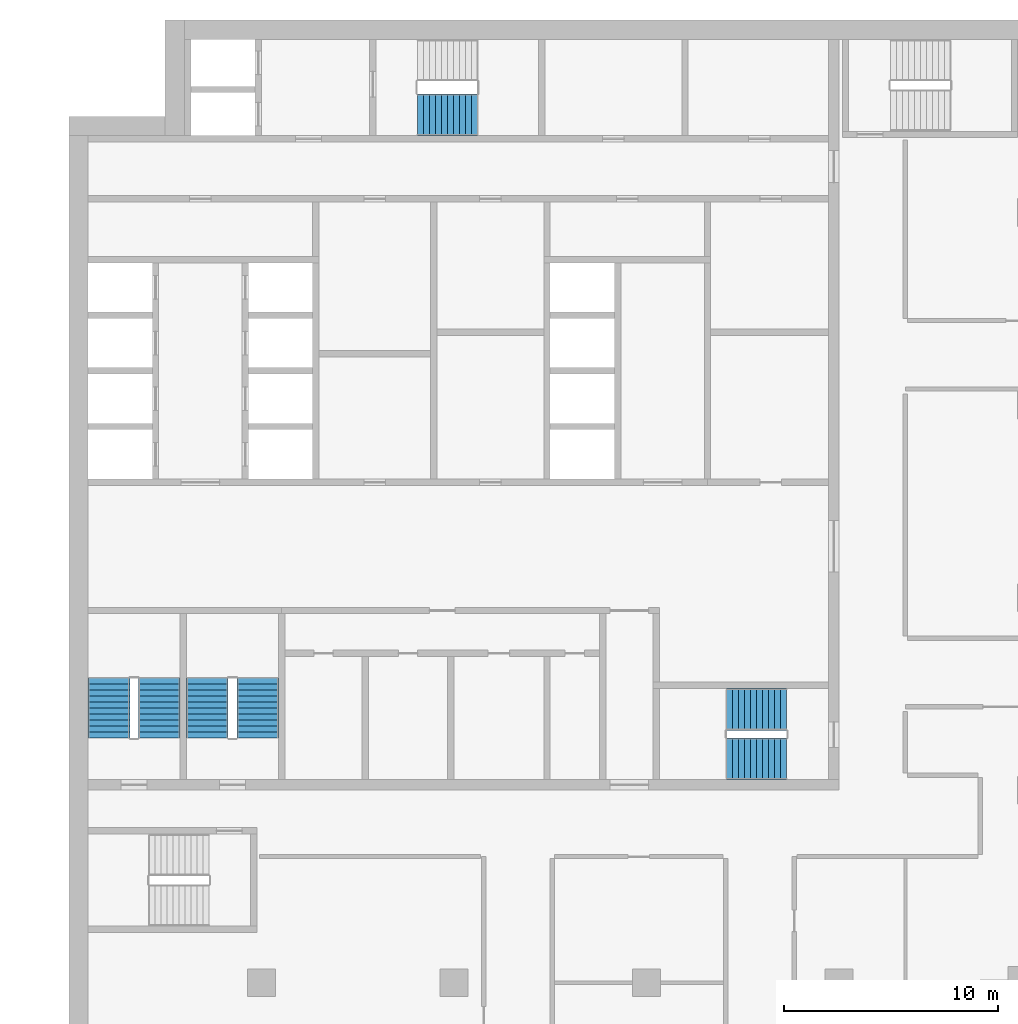
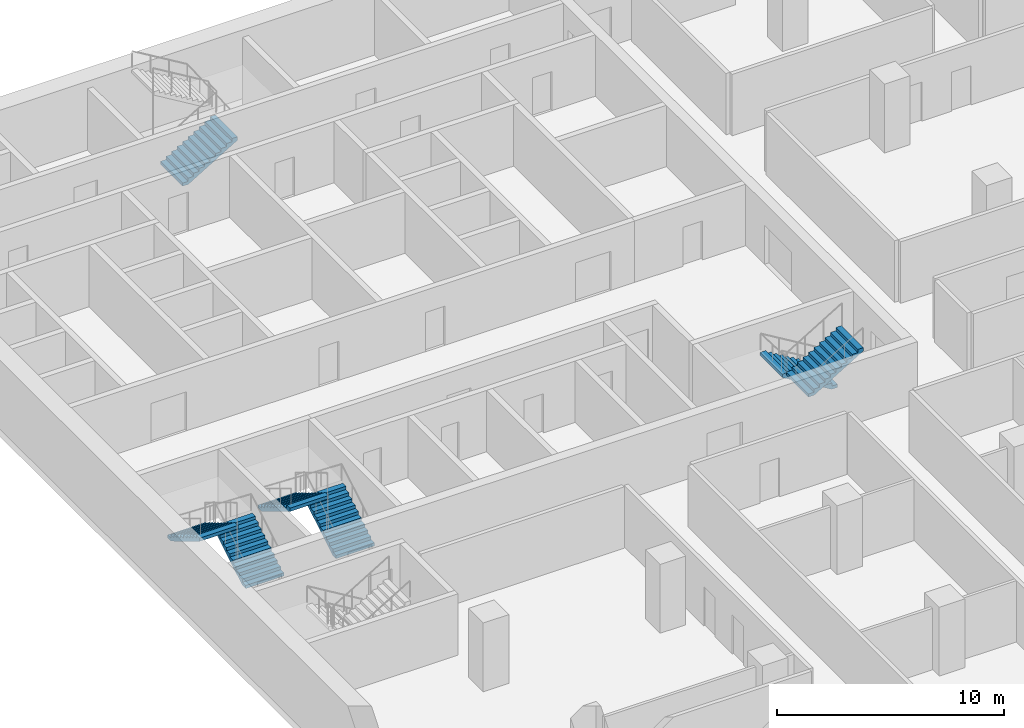
# One storey, part 16 of 22: 7 stair flights, 4 elements without a shape of their own.
"""IFC4 building model written with IfcOpenShell, lengths in metres."""

from ifc_helpers import new_model, si_unit, direction, frame, origin, place, context, subcontext, project, spatial, polyline, outline, extrude, material, type_object, element, aggregate, save


model = new_model("IFC4")

# Units and contexts
model_context = context("Model", 3, precision=1e-05, world=origin(), true_north=direction((0.0, 1.0)))
body_context = subcontext(model_context, "Body", "Model", "MODEL_VIEW")
ifc_project = project(units=[si_unit("LENGTHUNIT", "METRE"), si_unit("AREAUNIT", "SQUARE_METRE"), si_unit("VOLUMEUNIT", "CUBIC_METRE"), si_unit("PLANEANGLEUNIT", "RADIAN"), si_unit("MASSUNIT", "GRAM", prefix="KILO")], contexts=[model_context])

# Site, building, storey
site_placement = place(None, origin())
site = spatial("IfcSite", under=ifc_project, at=site_placement, CompositionType="ELEMENT")
building_placement = place(site_placement, origin())
building = spatial("IfcBuilding", under=site, at=building_placement, Name="Hunhe Ridgeline Campus", CompositionType="ELEMENT")
storey_placement = place(building_placement, frame((0.0, 0.0, 92.199951171875)))
storey = spatial("IfcBuildingStorey", under=building, at=storey_placement, Name="L22", CompositionType="ELEMENT", Elevation=92.199951171875)

# Stair, stair flight
ifc_material = material(Name="Concrete C40", Category="concrete")
stair_type = type_object("IfcStairType", Name="Reinforced concrete dog-leg stair 1950 Concrete C40", PredefinedType="HALF_TURN_STAIR", material=ifc_material)
stair_1_placement = place(storey_placement, origin())
stair_1 = element("IfcStair", 1, at=stair_1_placement, inside=storey, type_object=stair_type, Name="L22 S1", PredefinedType="HALF_TURN_STAIR")
stair_flight_type = type_object("IfcStairFlightType", Name="Reinforced concrete stair flight 1950 Concrete C40", PredefinedType="STRAIGHT", material=ifc_material)
stair_flight_1_placement = place(storey_placement, frame((16.300048828125, 94.574951171875, 0.0), z_axis=(0.0, 0.0, 1.0), x_axis=(1.0, 0.0, 0.0)))
stair_flight_1 = element("IfcStairFlight", 2, at=stair_flight_1_placement, type_object=stair_flight_type, Name="ST1 flight 1", NumberOfRisers=11, NumberOfTreads=10, PredefinedType="STRAIGHT", RiserHeight=0.168181818, TreadLength=0.28, context=body_context, shape_type="SweptSolid", body=[
    extrude(outline(polyline([(0.0, 0.0), (0.0, 0.168212890625), (0.280029296875, 0.168212890625), (0.280029296875, 0.33642578125), (0.56005859375, 0.33642578125), (0.56005859375, 0.504638671875), (0.840087890625, 0.504638671875), (0.840087890625, 0.672607421875), (1.1201171875, 0.672607421875), (1.1201171875, 0.8408203125), (1.39990234375, 0.8408203125), (1.39990234375, 1.009033203125), (1.679931640625, 1.009033203125), (1.679931640625, 1.17724609375), (1.9599609375, 1.17724609375), (1.9599609375, 1.345458984375), (2.239990234375, 1.345458984375), (2.239990234375, 1.513671875), (2.52001953125, 1.513671875), (2.52001953125, 1.681884765625), (2.800048828125, 1.681884765625), (2.800048828125, 1.85009765625), (2.800048828125, 1.5068359375), (0.291015625, 0.0), (0.0, 0.0)])), frame((0.0, 0.97509765625, 0.0), z_axis=(0.0, -1.0, 0.0), x_axis=(1.0, 0.0, 0.0)), (0.0, 0.0, 1.0), 1.949951171875),
    extrude(outline(polyline([(0.030029296875, 0.030029296875), (0.030029296875, 0.13818359375), (0.31005859375, 0.13818359375), (0.31005859375, 0.306396484375), (0.590087890625, 0.306396484375), (0.590087890625, 0.474609375), (0.8701171875, 0.474609375), (0.8701171875, 0.642578125), (1.14990234375, 0.642578125), (1.14990234375, 0.810791015625), (1.429931640625, 0.810791015625), (1.429931640625, 0.97900390625), (1.7099609375, 0.97900390625), (1.7099609375, 1.147216796875), (1.989990234375, 1.147216796875), (1.989990234375, 1.3154296875), (2.27001953125, 1.3154296875), (2.27001953125, 1.483642578125), (2.550048828125, 1.483642578125), (2.550048828125, 1.65185546875), (2.77001953125, 1.65185546875), (2.77001953125, 1.52392578125), (0.28271484375, 0.030029296875), (0.030029296875, 0.030029296875)])), frame((0.0, -0.070068359375, 0.0), z_axis=(0.0, -1.0, 0.0), x_axis=(1.0, 0.0, 0.0)), (0.0, 0.0, 1.0), 0.019775390625),
    extrude(outline(polyline([(0.030029296875, 0.030029296875), (0.030029296875, 0.13818359375), (0.31005859375, 0.13818359375), (0.31005859375, 0.306396484375), (0.590087890625, 0.306396484375), (0.590087890625, 0.474609375), (0.8701171875, 0.474609375), (0.8701171875, 0.642578125), (1.14990234375, 0.642578125), (1.14990234375, 0.810791015625), (1.429931640625, 0.810791015625), (1.429931640625, 0.97900390625), (1.7099609375, 0.97900390625), (1.7099609375, 1.147216796875), (1.989990234375, 1.147216796875), (1.989990234375, 1.3154296875), (2.27001953125, 1.3154296875), (2.27001953125, 1.483642578125), (2.550048828125, 1.483642578125), (2.550048828125, 1.65185546875), (2.77001953125, 1.65185546875), (2.77001953125, 1.52392578125), (0.28271484375, 0.030029296875), (0.030029296875, 0.030029296875)])), frame((0.0, 0.010009765625, 0.0), z_axis=(0.0, -1.0, 0.0), x_axis=(1.0, 0.0, 0.0)), (0.0, 0.0, 1.0), 0.019775390625),
    extrude(outline(polyline([(0.030029296875, 0.030029296875), (0.030029296875, 0.13818359375), (0.31005859375, 0.13818359375), (0.31005859375, 0.306396484375), (0.590087890625, 0.306396484375), (0.590087890625, 0.474609375), (0.8701171875, 0.474609375), (0.8701171875, 0.642578125), (1.14990234375, 0.642578125), (1.14990234375, 0.810791015625), (1.429931640625, 0.810791015625), (1.429931640625, 0.97900390625), (1.7099609375, 0.97900390625), (1.7099609375, 1.147216796875), (1.989990234375, 1.147216796875), (1.989990234375, 1.3154296875), (2.27001953125, 1.3154296875), (2.27001953125, 1.483642578125), (2.550048828125, 1.483642578125), (2.550048828125, 1.65185546875), (2.77001953125, 1.65185546875), (2.77001953125, 1.52392578125), (0.28271484375, 0.030029296875), (0.030029296875, 0.030029296875)])), frame((0.0, 0.090087890625, 0.0), z_axis=(0.0, -1.0, 0.0), x_axis=(1.0, 0.0, 0.0)), (0.0, 0.0, 1.0), 0.019775390625),
])
aggregate(stair_1, [stair_flight_1])

# Stair, stair flights
stair_2_placement = place(storey_placement, origin())
stair_2 = element("IfcStair", 3, at=stair_2_placement, inside=storey, type_object=stair_type, Name="L22 S2", PredefinedType="HALF_TURN_STAIR")
stair_flight_2_placement = place(storey_placement, frame((33.550048828125, 66.77490234375, 0.0), z_axis=(0.0, 0.0, 1.0), x_axis=(-1.0, 0.0, 0.0)))
stair_flight_2 = element("IfcStairFlight", 4, at=stair_flight_2_placement, type_object=stair_flight_type, Name="ST2 flight 1", NumberOfRisers=11, NumberOfTreads=10, PredefinedType="STRAIGHT", RiserHeight=0.168181818, TreadLength=0.28, context=body_context, shape_type="SweptSolid", body=[
    extrude(outline(polyline([(0.0, 0.0), (0.0, 0.168212890625), (0.280029296875, 0.168212890625), (0.280029296875, 0.33642578125), (0.56005859375, 0.33642578125), (0.56005859375, 0.504638671875), (0.840087890625, 0.504638671875), (0.840087890625, 0.672607421875), (1.1201171875, 0.672607421875), (1.1201171875, 0.8408203125), (1.39990234375, 0.8408203125), (1.39990234375, 1.009033203125), (1.679931640625, 1.009033203125), (1.679931640625, 1.17724609375), (1.9599609375, 1.17724609375), (1.9599609375, 1.345458984375), (2.239990234375, 1.345458984375), (2.239990234375, 1.513671875), (2.52001953125, 1.513671875), (2.52001953125, 1.681884765625), (2.800048828125, 1.681884765625), (2.800048828125, 1.85009765625), (2.800048828125, 1.5068359375), (0.291015625, 0.0), (0.0, 0.0)])), frame((0.0, 0.97509765625, 0.0), z_axis=(0.0, -1.0, 0.0), x_axis=(1.0, 0.0, 0.0)), (0.0, 0.0, 1.0), 1.949951171875),
    extrude(outline(polyline([(0.030029296875, 0.030029296875), (0.030029296875, 0.13818359375), (0.31005859375, 0.13818359375), (0.31005859375, 0.306396484375), (0.590087890625, 0.306396484375), (0.590087890625, 0.474609375), (0.8701171875, 0.474609375), (0.8701171875, 0.642578125), (1.14990234375, 0.642578125), (1.14990234375, 0.810791015625), (1.429931640625, 0.810791015625), (1.429931640625, 0.97900390625), (1.7099609375, 0.97900390625), (1.7099609375, 1.147216796875), (1.989990234375, 1.147216796875), (1.989990234375, 1.3154296875), (2.27001953125, 1.3154296875), (2.27001953125, 1.483642578125), (2.550048828125, 1.483642578125), (2.550048828125, 1.65185546875), (2.77001953125, 1.65185546875), (2.77001953125, 1.52392578125), (0.28271484375, 0.030029296875), (0.030029296875, 0.030029296875)])), frame((0.0, -0.070068359375, 0.0), z_axis=(0.0, -1.0, 0.0), x_axis=(1.0, 0.0, 0.0)), (0.0, 0.0, 1.0), 0.019775390625),
    extrude(outline(polyline([(0.030029296875, 0.030029296875), (0.030029296875, 0.13818359375), (0.31005859375, 0.13818359375), (0.31005859375, 0.306396484375), (0.590087890625, 0.306396484375), (0.590087890625, 0.474609375), (0.8701171875, 0.474609375), (0.8701171875, 0.642578125), (1.14990234375, 0.642578125), (1.14990234375, 0.810791015625), (1.429931640625, 0.810791015625), (1.429931640625, 0.97900390625), (1.7099609375, 0.97900390625), (1.7099609375, 1.147216796875), (1.989990234375, 1.147216796875), (1.989990234375, 1.3154296875), (2.27001953125, 1.3154296875), (2.27001953125, 1.483642578125), (2.550048828125, 1.483642578125), (2.550048828125, 1.65185546875), (2.77001953125, 1.65185546875), (2.77001953125, 1.52392578125), (0.28271484375, 0.030029296875), (0.030029296875, 0.030029296875)])), frame((0.0, 0.010009765625, 0.0), z_axis=(0.0, -1.0, 0.0), x_axis=(1.0, 0.0, 0.0)), (0.0, 0.0, 1.0), 0.019775390625),
    extrude(outline(polyline([(0.030029296875, 0.030029296875), (0.030029296875, 0.13818359375), (0.31005859375, 0.13818359375), (0.31005859375, 0.306396484375), (0.590087890625, 0.306396484375), (0.590087890625, 0.474609375), (0.8701171875, 0.474609375), (0.8701171875, 0.642578125), (1.14990234375, 0.642578125), (1.14990234375, 0.810791015625), (1.429931640625, 0.810791015625), (1.429931640625, 0.97900390625), (1.7099609375, 0.97900390625), (1.7099609375, 1.147216796875), (1.989990234375, 1.147216796875), (1.989990234375, 1.3154296875), (2.27001953125, 1.3154296875), (2.27001953125, 1.483642578125), (2.550048828125, 1.483642578125), (2.550048828125, 1.65185546875), (2.77001953125, 1.65185546875), (2.77001953125, 1.52392578125), (0.28271484375, 0.030029296875), (0.030029296875, 0.030029296875)])), frame((0.0, 0.090087890625, 0.0), z_axis=(0.0, -1.0, 0.0), x_axis=(1.0, 0.0, 0.0)), (0.0, 0.0, 1.0), 0.019775390625),
])
stair_flight_3_placement = place(storey_placement, frame((30.75, 64.47509765625, 1.85009765625), z_axis=(0.0, 0.0, 1.0), x_axis=(1.0, 0.0, 0.0)))
stair_flight_3 = element("IfcStairFlight", 5, at=stair_flight_3_placement, type_object=stair_flight_type, Name="ST2 flight 2", NumberOfRisers=11, NumberOfTreads=10, PredefinedType="STRAIGHT", RiserHeight=0.168181818, TreadLength=0.28, context=body_context, shape_type="SweptSolid", body=[
    extrude(outline(polyline([(0.0, 0.0), (0.0, 0.168212890625), (0.280029296875, 0.168212890625), (0.280029296875, 0.33642578125), (0.56005859375, 0.33642578125), (0.56005859375, 0.504638671875), (0.840087890625, 0.504638671875), (0.840087890625, 0.672607421875), (1.1201171875, 0.672607421875), (1.1201171875, 0.8408203125), (1.39990234375, 0.8408203125), (1.39990234375, 1.009033203125), (1.679931640625, 1.009033203125), (1.679931640625, 1.17724609375), (1.9599609375, 1.17724609375), (1.9599609375, 1.345458984375), (2.239990234375, 1.345458984375), (2.239990234375, 1.513671875), (2.52001953125, 1.513671875), (2.52001953125, 1.681884765625), (2.800048828125, 1.681884765625), (2.800048828125, 1.85009765625), (2.800048828125, 1.5068359375), (0.291015625, 0.0), (0.0, 0.0)])), frame((0.0, 0.97509765625, 0.0), z_axis=(0.0, -1.0, 0.0), x_axis=(1.0, 0.0, 0.0)), (0.0, 0.0, 1.0), 1.949951171875),
    extrude(outline(polyline([(0.030029296875, 0.030029296875), (0.030029296875, 0.13818359375), (0.31005859375, 0.13818359375), (0.31005859375, 0.306396484375), (0.590087890625, 0.306396484375), (0.590087890625, 0.474609375), (0.8701171875, 0.474609375), (0.8701171875, 0.642578125), (1.14990234375, 0.642578125), (1.14990234375, 0.810791015625), (1.429931640625, 0.810791015625), (1.429931640625, 0.97900390625), (1.7099609375, 0.97900390625), (1.7099609375, 1.147216796875), (1.989990234375, 1.147216796875), (1.989990234375, 1.3154296875), (2.27001953125, 1.3154296875), (2.27001953125, 1.483642578125), (2.550048828125, 1.483642578125), (2.550048828125, 1.65185546875), (2.77001953125, 1.65185546875), (2.77001953125, 1.52392578125), (0.28271484375, 0.030029296875), (0.030029296875, 0.030029296875)])), frame((0.0, -0.070068359375, 0.0), z_axis=(0.0, -1.0, 0.0), x_axis=(1.0, 0.0, 0.0)), (0.0, 0.0, 1.0), 0.019775390625),
    extrude(outline(polyline([(0.030029296875, 0.030029296875), (0.030029296875, 0.13818359375), (0.31005859375, 0.13818359375), (0.31005859375, 0.306396484375), (0.590087890625, 0.306396484375), (0.590087890625, 0.474609375), (0.8701171875, 0.474609375), (0.8701171875, 0.642578125), (1.14990234375, 0.642578125), (1.14990234375, 0.810791015625), (1.429931640625, 0.810791015625), (1.429931640625, 0.97900390625), (1.7099609375, 0.97900390625), (1.7099609375, 1.147216796875), (1.989990234375, 1.147216796875), (1.989990234375, 1.3154296875), (2.27001953125, 1.3154296875), (2.27001953125, 1.483642578125), (2.550048828125, 1.483642578125), (2.550048828125, 1.65185546875), (2.77001953125, 1.65185546875), (2.77001953125, 1.52392578125), (0.28271484375, 0.030029296875), (0.030029296875, 0.030029296875)])), frame((0.0, 0.010009765625, 0.0), z_axis=(0.0, -1.0, 0.0), x_axis=(1.0, 0.0, 0.0)), (0.0, 0.0, 1.0), 0.019775390625),
    extrude(outline(polyline([(0.030029296875, 0.030029296875), (0.030029296875, 0.13818359375), (0.31005859375, 0.13818359375), (0.31005859375, 0.306396484375), (0.590087890625, 0.306396484375), (0.590087890625, 0.474609375), (0.8701171875, 0.474609375), (0.8701171875, 0.642578125), (1.14990234375, 0.642578125), (1.14990234375, 0.810791015625), (1.429931640625, 0.810791015625), (1.429931640625, 0.97900390625), (1.7099609375, 0.97900390625), (1.7099609375, 1.147216796875), (1.989990234375, 1.147216796875), (1.989990234375, 1.3154296875), (2.27001953125, 1.3154296875), (2.27001953125, 1.483642578125), (2.550048828125, 1.483642578125), (2.550048828125, 1.65185546875), (2.77001953125, 1.65185546875), (2.77001953125, 1.52392578125), (0.28271484375, 0.030029296875), (0.030029296875, 0.030029296875)])), frame((0.0, 0.090087890625, 0.0), z_axis=(0.0, -1.0, 0.0), x_axis=(1.0, 0.0, 0.0)), (0.0, 0.0, 1.0), 0.019775390625),
])
aggregate(stair_2, [stair_flight_2, stair_flight_3])

stair_3_placement = place(storey_placement, origin())
stair_3 = element("IfcStair", 6, at=stair_3_placement, inside=storey, type_object=stair_type, Name="L22 S3", PredefinedType="HALF_TURN_STAIR")
stair_flight_4_placement = place(storey_placement, frame((4.22509765625, 65.449951171875, 0.0), z_axis=(0.0, 0.0, 1.0), x_axis=(0.0, 1.0, 0.0)))
stair_flight_4 = element("IfcStairFlight", 7, at=stair_flight_4_placement, type_object=stair_flight_type, Name="ST3 flight 1", NumberOfRisers=11, NumberOfTreads=10, PredefinedType="STRAIGHT", RiserHeight=0.168181818, TreadLength=0.28, context=body_context, shape_type="SweptSolid", body=[
    extrude(outline(polyline([(0.0, 0.0), (0.0, 0.168212890625), (0.280029296875, 0.168212890625), (0.280029296875, 0.33642578125), (0.56005859375, 0.33642578125), (0.56005859375, 0.504638671875), (0.840087890625, 0.504638671875), (0.840087890625, 0.672607421875), (1.1201171875, 0.672607421875), (1.1201171875, 0.8408203125), (1.39990234375, 0.8408203125), (1.39990234375, 1.009033203125), (1.679931640625, 1.009033203125), (1.679931640625, 1.17724609375), (1.9599609375, 1.17724609375), (1.9599609375, 1.345458984375), (2.239990234375, 1.345458984375), (2.239990234375, 1.513671875), (2.52001953125, 1.513671875), (2.52001953125, 1.681884765625), (2.800048828125, 1.681884765625), (2.800048828125, 1.85009765625), (2.800048828125, 1.5068359375), (0.291015625, 0.0), (0.0, 0.0)])), frame((0.0, 0.97509765625, 0.0), z_axis=(0.0, -1.0, 0.0), x_axis=(1.0, 0.0, 0.0)), (0.0, 0.0, 1.0), 1.949951171875),
    extrude(outline(polyline([(0.030029296875, 0.030029296875), (0.030029296875, 0.13818359375), (0.31005859375, 0.13818359375), (0.31005859375, 0.306396484375), (0.590087890625, 0.306396484375), (0.590087890625, 0.474609375), (0.8701171875, 0.474609375), (0.8701171875, 0.642578125), (1.14990234375, 0.642578125), (1.14990234375, 0.810791015625), (1.429931640625, 0.810791015625), (1.429931640625, 0.97900390625), (1.7099609375, 0.97900390625), (1.7099609375, 1.147216796875), (1.989990234375, 1.147216796875), (1.989990234375, 1.3154296875), (2.27001953125, 1.3154296875), (2.27001953125, 1.483642578125), (2.550048828125, 1.483642578125), (2.550048828125, 1.65185546875), (2.77001953125, 1.65185546875), (2.77001953125, 1.52392578125), (0.28271484375, 0.030029296875), (0.030029296875, 0.030029296875)])), frame((0.0, -0.070068359375, 0.0), z_axis=(0.0, -1.0, 0.0), x_axis=(1.0, 0.0, 0.0)), (0.0, 0.0, 1.0), 0.019775390625),
    extrude(outline(polyline([(0.030029296875, 0.030029296875), (0.030029296875, 0.13818359375), (0.31005859375, 0.13818359375), (0.31005859375, 0.306396484375), (0.590087890625, 0.306396484375), (0.590087890625, 0.474609375), (0.8701171875, 0.474609375), (0.8701171875, 0.642578125), (1.14990234375, 0.642578125), (1.14990234375, 0.810791015625), (1.429931640625, 0.810791015625), (1.429931640625, 0.97900390625), (1.7099609375, 0.97900390625), (1.7099609375, 1.147216796875), (1.989990234375, 1.147216796875), (1.989990234375, 1.3154296875), (2.27001953125, 1.3154296875), (2.27001953125, 1.483642578125), (2.550048828125, 1.483642578125), (2.550048828125, 1.65185546875), (2.77001953125, 1.65185546875), (2.77001953125, 1.52392578125), (0.28271484375, 0.030029296875), (0.030029296875, 0.030029296875)])), frame((0.0, 0.010009765625, 0.0), z_axis=(0.0, -1.0, 0.0), x_axis=(1.0, 0.0, 0.0)), (0.0, 0.0, 1.0), 0.019775390625),
    extrude(outline(polyline([(0.030029296875, 0.030029296875), (0.030029296875, 0.13818359375), (0.31005859375, 0.13818359375), (0.31005859375, 0.306396484375), (0.590087890625, 0.306396484375), (0.590087890625, 0.474609375), (0.8701171875, 0.474609375), (0.8701171875, 0.642578125), (1.14990234375, 0.642578125), (1.14990234375, 0.810791015625), (1.429931640625, 0.810791015625), (1.429931640625, 0.97900390625), (1.7099609375, 0.97900390625), (1.7099609375, 1.147216796875), (1.989990234375, 1.147216796875), (1.989990234375, 1.3154296875), (2.27001953125, 1.3154296875), (2.27001953125, 1.483642578125), (2.550048828125, 1.483642578125), (2.550048828125, 1.65185546875), (2.77001953125, 1.65185546875), (2.77001953125, 1.52392578125), (0.28271484375, 0.030029296875), (0.030029296875, 0.030029296875)])), frame((0.0, 0.090087890625, 0.0), z_axis=(0.0, -1.0, 0.0), x_axis=(1.0, 0.0, 0.0)), (0.0, 0.0, 1.0), 0.019775390625),
])
stair_flight_5_placement = place(storey_placement, frame((1.875, 68.25, 1.85009765625), z_axis=(0.0, 0.0, 1.0), x_axis=(0.0, -1.0, 0.0)))
stair_flight_5 = element("IfcStairFlight", 8, at=stair_flight_5_placement, type_object=stair_flight_type, Name="ST3 flight 2", NumberOfRisers=11, NumberOfTreads=10, PredefinedType="STRAIGHT", RiserHeight=0.168181818, TreadLength=0.28, context=body_context, shape_type="SweptSolid", body=[
    extrude(outline(polyline([(0.0, 0.0), (0.0, 0.168212890625), (0.280029296875, 0.168212890625), (0.280029296875, 0.33642578125), (0.56005859375, 0.33642578125), (0.56005859375, 0.504638671875), (0.840087890625, 0.504638671875), (0.840087890625, 0.672607421875), (1.1201171875, 0.672607421875), (1.1201171875, 0.8408203125), (1.39990234375, 0.8408203125), (1.39990234375, 1.009033203125), (1.679931640625, 1.009033203125), (1.679931640625, 1.17724609375), (1.9599609375, 1.17724609375), (1.9599609375, 1.345458984375), (2.239990234375, 1.345458984375), (2.239990234375, 1.513671875), (2.52001953125, 1.513671875), (2.52001953125, 1.681884765625), (2.800048828125, 1.681884765625), (2.800048828125, 1.85009765625), (2.800048828125, 1.5068359375), (0.291015625, 0.0), (0.0, 0.0)])), frame((0.0, 0.97509765625, 0.0), z_axis=(0.0, -1.0, 0.0), x_axis=(1.0, 0.0, 0.0)), (0.0, 0.0, 1.0), 1.949951171875),
    extrude(outline(polyline([(0.030029296875, 0.030029296875), (0.030029296875, 0.13818359375), (0.31005859375, 0.13818359375), (0.31005859375, 0.306396484375), (0.590087890625, 0.306396484375), (0.590087890625, 0.474609375), (0.8701171875, 0.474609375), (0.8701171875, 0.642578125), (1.14990234375, 0.642578125), (1.14990234375, 0.810791015625), (1.429931640625, 0.810791015625), (1.429931640625, 0.97900390625), (1.7099609375, 0.97900390625), (1.7099609375, 1.147216796875), (1.989990234375, 1.147216796875), (1.989990234375, 1.3154296875), (2.27001953125, 1.3154296875), (2.27001953125, 1.483642578125), (2.550048828125, 1.483642578125), (2.550048828125, 1.65185546875), (2.77001953125, 1.65185546875), (2.77001953125, 1.52392578125), (0.28271484375, 0.030029296875), (0.030029296875, 0.030029296875)])), frame((0.0, -0.070068359375, 0.0), z_axis=(0.0, -1.0, 0.0), x_axis=(1.0, 0.0, 0.0)), (0.0, 0.0, 1.0), 0.019775390625),
    extrude(outline(polyline([(0.030029296875, 0.030029296875), (0.030029296875, 0.13818359375), (0.31005859375, 0.13818359375), (0.31005859375, 0.306396484375), (0.590087890625, 0.306396484375), (0.590087890625, 0.474609375), (0.8701171875, 0.474609375), (0.8701171875, 0.642578125), (1.14990234375, 0.642578125), (1.14990234375, 0.810791015625), (1.429931640625, 0.810791015625), (1.429931640625, 0.97900390625), (1.7099609375, 0.97900390625), (1.7099609375, 1.147216796875), (1.989990234375, 1.147216796875), (1.989990234375, 1.3154296875), (2.27001953125, 1.3154296875), (2.27001953125, 1.483642578125), (2.550048828125, 1.483642578125), (2.550048828125, 1.65185546875), (2.77001953125, 1.65185546875), (2.77001953125, 1.52392578125), (0.28271484375, 0.030029296875), (0.030029296875, 0.030029296875)])), frame((0.0, 0.010009765625, 0.0), z_axis=(0.0, -1.0, 0.0), x_axis=(1.0, 0.0, 0.0)), (0.0, 0.0, 1.0), 0.019775390625),
    extrude(outline(polyline([(0.030029296875, 0.030029296875), (0.030029296875, 0.13818359375), (0.31005859375, 0.13818359375), (0.31005859375, 0.306396484375), (0.590087890625, 0.306396484375), (0.590087890625, 0.474609375), (0.8701171875, 0.474609375), (0.8701171875, 0.642578125), (1.14990234375, 0.642578125), (1.14990234375, 0.810791015625), (1.429931640625, 0.810791015625), (1.429931640625, 0.97900390625), (1.7099609375, 0.97900390625), (1.7099609375, 1.147216796875), (1.989990234375, 1.147216796875), (1.989990234375, 1.3154296875), (2.27001953125, 1.3154296875), (2.27001953125, 1.483642578125), (2.550048828125, 1.483642578125), (2.550048828125, 1.65185546875), (2.77001953125, 1.65185546875), (2.77001953125, 1.52392578125), (0.28271484375, 0.030029296875), (0.030029296875, 0.030029296875)])), frame((0.0, 0.090087890625, 0.0), z_axis=(0.0, -1.0, 0.0), x_axis=(1.0, 0.0, 0.0)), (0.0, 0.0, 1.0), 0.019775390625),
])
aggregate(stair_3, [stair_flight_4, stair_flight_5])

stair_4_placement = place(storey_placement, origin())
stair_4 = element("IfcStair", 9, at=stair_4_placement, inside=storey, type_object=stair_type, Name="L22 S4", PredefinedType="HALF_TURN_STAIR")
stair_flight_6_placement = place(storey_placement, frame((8.824951171875, 65.449951171875, 0.0), z_axis=(0.0, 0.0, 1.0), x_axis=(0.0, 1.0, 0.0)))
stair_flight_6 = element("IfcStairFlight", 10, at=stair_flight_6_placement, type_object=stair_flight_type, Name="ST4 flight 1", NumberOfRisers=11, NumberOfTreads=10, PredefinedType="STRAIGHT", RiserHeight=0.168181818, TreadLength=0.28, context=body_context, shape_type="SweptSolid", body=[
    extrude(outline(polyline([(0.0, 0.0), (0.0, 0.168212890625), (0.280029296875, 0.168212890625), (0.280029296875, 0.33642578125), (0.56005859375, 0.33642578125), (0.56005859375, 0.504638671875), (0.840087890625, 0.504638671875), (0.840087890625, 0.672607421875), (1.1201171875, 0.672607421875), (1.1201171875, 0.8408203125), (1.39990234375, 0.8408203125), (1.39990234375, 1.009033203125), (1.679931640625, 1.009033203125), (1.679931640625, 1.17724609375), (1.9599609375, 1.17724609375), (1.9599609375, 1.345458984375), (2.239990234375, 1.345458984375), (2.239990234375, 1.513671875), (2.52001953125, 1.513671875), (2.52001953125, 1.681884765625), (2.800048828125, 1.681884765625), (2.800048828125, 1.85009765625), (2.800048828125, 1.5068359375), (0.291015625, 0.0), (0.0, 0.0)])), frame((0.0, 0.97509765625, 0.0), z_axis=(0.0, -1.0, 0.0), x_axis=(1.0, 0.0, 0.0)), (0.0, 0.0, 1.0), 1.949951171875),
    extrude(outline(polyline([(0.030029296875, 0.030029296875), (0.030029296875, 0.13818359375), (0.31005859375, 0.13818359375), (0.31005859375, 0.306396484375), (0.590087890625, 0.306396484375), (0.590087890625, 0.474609375), (0.8701171875, 0.474609375), (0.8701171875, 0.642578125), (1.14990234375, 0.642578125), (1.14990234375, 0.810791015625), (1.429931640625, 0.810791015625), (1.429931640625, 0.97900390625), (1.7099609375, 0.97900390625), (1.7099609375, 1.147216796875), (1.989990234375, 1.147216796875), (1.989990234375, 1.3154296875), (2.27001953125, 1.3154296875), (2.27001953125, 1.483642578125), (2.550048828125, 1.483642578125), (2.550048828125, 1.65185546875), (2.77001953125, 1.65185546875), (2.77001953125, 1.52392578125), (0.28271484375, 0.030029296875), (0.030029296875, 0.030029296875)])), frame((0.0, -0.070068359375, 0.0), z_axis=(0.0, -1.0, 0.0), x_axis=(1.0, 0.0, 0.0)), (0.0, 0.0, 1.0), 0.019775390625),
    extrude(outline(polyline([(0.030029296875, 0.030029296875), (0.030029296875, 0.13818359375), (0.31005859375, 0.13818359375), (0.31005859375, 0.306396484375), (0.590087890625, 0.306396484375), (0.590087890625, 0.474609375), (0.8701171875, 0.474609375), (0.8701171875, 0.642578125), (1.14990234375, 0.642578125), (1.14990234375, 0.810791015625), (1.429931640625, 0.810791015625), (1.429931640625, 0.97900390625), (1.7099609375, 0.97900390625), (1.7099609375, 1.147216796875), (1.989990234375, 1.147216796875), (1.989990234375, 1.3154296875), (2.27001953125, 1.3154296875), (2.27001953125, 1.483642578125), (2.550048828125, 1.483642578125), (2.550048828125, 1.65185546875), (2.77001953125, 1.65185546875), (2.77001953125, 1.52392578125), (0.28271484375, 0.030029296875), (0.030029296875, 0.030029296875)])), frame((0.0, 0.010009765625, 0.0), z_axis=(0.0, -1.0, 0.0), x_axis=(1.0, 0.0, 0.0)), (0.0, 0.0, 1.0), 0.019775390625),
    extrude(outline(polyline([(0.030029296875, 0.030029296875), (0.030029296875, 0.13818359375), (0.31005859375, 0.13818359375), (0.31005859375, 0.306396484375), (0.590087890625, 0.306396484375), (0.590087890625, 0.474609375), (0.8701171875, 0.474609375), (0.8701171875, 0.642578125), (1.14990234375, 0.642578125), (1.14990234375, 0.810791015625), (1.429931640625, 0.810791015625), (1.429931640625, 0.97900390625), (1.7099609375, 0.97900390625), (1.7099609375, 1.147216796875), (1.989990234375, 1.147216796875), (1.989990234375, 1.3154296875), (2.27001953125, 1.3154296875), (2.27001953125, 1.483642578125), (2.550048828125, 1.483642578125), (2.550048828125, 1.65185546875), (2.77001953125, 1.65185546875), (2.77001953125, 1.52392578125), (0.28271484375, 0.030029296875), (0.030029296875, 0.030029296875)])), frame((0.0, 0.090087890625, 0.0), z_axis=(0.0, -1.0, 0.0), x_axis=(1.0, 0.0, 0.0)), (0.0, 0.0, 1.0), 0.019775390625),
])
stair_flight_7_placement = place(storey_placement, frame((6.47509765625, 68.25, 1.85009765625), z_axis=(0.0, 0.0, 1.0), x_axis=(0.0, -1.0, 0.0)))
stair_flight_7 = element("IfcStairFlight", 11, at=stair_flight_7_placement, type_object=stair_flight_type, Name="ST4 flight 2", NumberOfRisers=11, NumberOfTreads=10, PredefinedType="STRAIGHT", RiserHeight=0.168181818, TreadLength=0.28, context=body_context, shape_type="SweptSolid", body=[
    extrude(outline(polyline([(0.0, 0.0), (0.0, 0.168212890625), (0.280029296875, 0.168212890625), (0.280029296875, 0.33642578125), (0.56005859375, 0.33642578125), (0.56005859375, 0.504638671875), (0.840087890625, 0.504638671875), (0.840087890625, 0.672607421875), (1.1201171875, 0.672607421875), (1.1201171875, 0.8408203125), (1.39990234375, 0.8408203125), (1.39990234375, 1.009033203125), (1.679931640625, 1.009033203125), (1.679931640625, 1.17724609375), (1.9599609375, 1.17724609375), (1.9599609375, 1.345458984375), (2.239990234375, 1.345458984375), (2.239990234375, 1.513671875), (2.52001953125, 1.513671875), (2.52001953125, 1.681884765625), (2.800048828125, 1.681884765625), (2.800048828125, 1.85009765625), (2.800048828125, 1.5068359375), (0.291015625, 0.0), (0.0, 0.0)])), frame((0.0, 0.97509765625, 0.0), z_axis=(0.0, -1.0, 0.0), x_axis=(1.0, 0.0, 0.0)), (0.0, 0.0, 1.0), 1.949951171875),
    extrude(outline(polyline([(0.030029296875, 0.030029296875), (0.030029296875, 0.13818359375), (0.31005859375, 0.13818359375), (0.31005859375, 0.306396484375), (0.590087890625, 0.306396484375), (0.590087890625, 0.474609375), (0.8701171875, 0.474609375), (0.8701171875, 0.642578125), (1.14990234375, 0.642578125), (1.14990234375, 0.810791015625), (1.429931640625, 0.810791015625), (1.429931640625, 0.97900390625), (1.7099609375, 0.97900390625), (1.7099609375, 1.147216796875), (1.989990234375, 1.147216796875), (1.989990234375, 1.3154296875), (2.27001953125, 1.3154296875), (2.27001953125, 1.483642578125), (2.550048828125, 1.483642578125), (2.550048828125, 1.65185546875), (2.77001953125, 1.65185546875), (2.77001953125, 1.52392578125), (0.28271484375, 0.030029296875), (0.030029296875, 0.030029296875)])), frame((0.0, -0.070068359375, 0.0), z_axis=(0.0, -1.0, 0.0), x_axis=(1.0, 0.0, 0.0)), (0.0, 0.0, 1.0), 0.019775390625),
    extrude(outline(polyline([(0.030029296875, 0.030029296875), (0.030029296875, 0.13818359375), (0.31005859375, 0.13818359375), (0.31005859375, 0.306396484375), (0.590087890625, 0.306396484375), (0.590087890625, 0.474609375), (0.8701171875, 0.474609375), (0.8701171875, 0.642578125), (1.14990234375, 0.642578125), (1.14990234375, 0.810791015625), (1.429931640625, 0.810791015625), (1.429931640625, 0.97900390625), (1.7099609375, 0.97900390625), (1.7099609375, 1.147216796875), (1.989990234375, 1.147216796875), (1.989990234375, 1.3154296875), (2.27001953125, 1.3154296875), (2.27001953125, 1.483642578125), (2.550048828125, 1.483642578125), (2.550048828125, 1.65185546875), (2.77001953125, 1.65185546875), (2.77001953125, 1.52392578125), (0.28271484375, 0.030029296875), (0.030029296875, 0.030029296875)])), frame((0.0, 0.010009765625, 0.0), z_axis=(0.0, -1.0, 0.0), x_axis=(1.0, 0.0, 0.0)), (0.0, 0.0, 1.0), 0.019775390625),
    extrude(outline(polyline([(0.030029296875, 0.030029296875), (0.030029296875, 0.13818359375), (0.31005859375, 0.13818359375), (0.31005859375, 0.306396484375), (0.590087890625, 0.306396484375), (0.590087890625, 0.474609375), (0.8701171875, 0.474609375), (0.8701171875, 0.642578125), (1.14990234375, 0.642578125), (1.14990234375, 0.810791015625), (1.429931640625, 0.810791015625), (1.429931640625, 0.97900390625), (1.7099609375, 0.97900390625), (1.7099609375, 1.147216796875), (1.989990234375, 1.147216796875), (1.989990234375, 1.3154296875), (2.27001953125, 1.3154296875), (2.27001953125, 1.483642578125), (2.550048828125, 1.483642578125), (2.550048828125, 1.65185546875), (2.77001953125, 1.65185546875), (2.77001953125, 1.52392578125), (0.28271484375, 0.030029296875), (0.030029296875, 0.030029296875)])), frame((0.0, 0.090087890625, 0.0), z_axis=(0.0, -1.0, 0.0), x_axis=(1.0, 0.0, 0.0)), (0.0, 0.0, 1.0), 0.019775390625),
])
aggregate(stair_4, [stair_flight_6, stair_flight_7])

save(model, "model.ifc")
